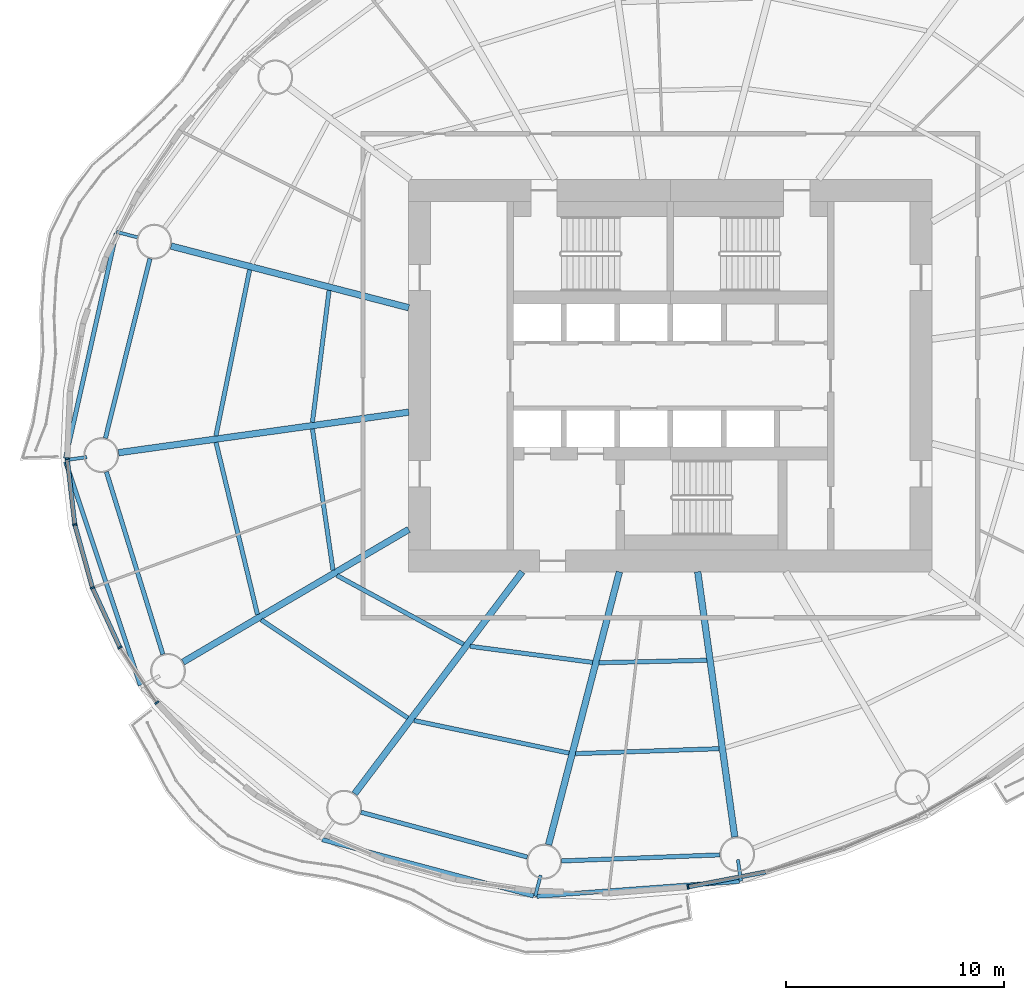
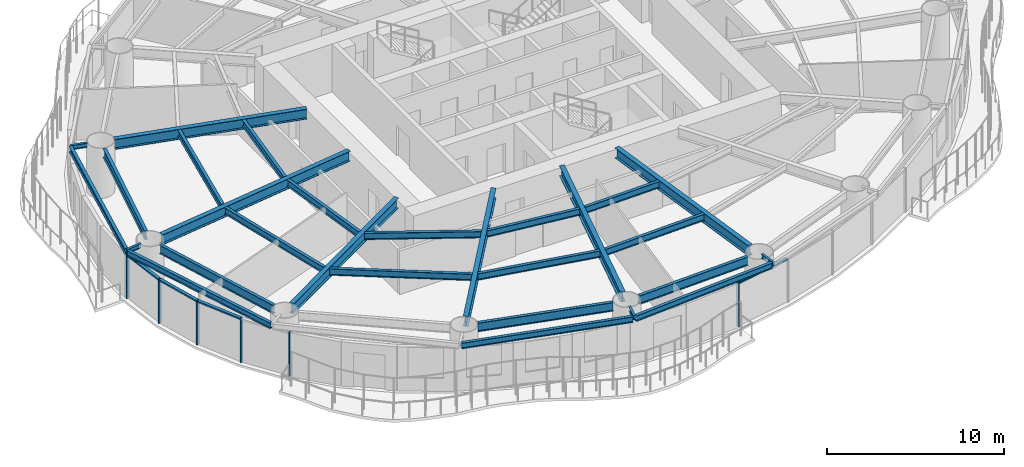
# One storey, part 2 of 16: 28 beams, 10 members, 5 elements without a shape of their own.
"""IFC4 building model written with IfcOpenShell, lengths in metres."""

from ifc_helpers import new_model, si_unit, direction, frame, origin, origin_2d, place, context, subcontext, project, spatial, rectangle, i_section, extrude, material, material_profile, profile_set, type_object, element, aggregate, save


model = new_model("IFC4")

# Units and contexts
model_context = context("Model", 3, precision=1e-05, world=origin(), true_north=direction((0.0, 1.0)))
body_context = subcontext(model_context, "Body", "Model", "MODEL_VIEW")
ifc_project = project(units=[si_unit("LENGTHUNIT", "METRE"), si_unit("AREAUNIT", "SQUARE_METRE"), si_unit("VOLUMEUNIT", "CUBIC_METRE"), si_unit("PLANEANGLEUNIT", "RADIAN"), si_unit("MASSUNIT", "GRAM", prefix="KILO")], contexts=[model_context])

# Site, building, storey
site_placement = place(None, origin())
site = spatial("IfcSite", under=ifc_project, at=site_placement, CompositionType="ELEMENT")
building_placement = place(site_placement, origin())
building = spatial("IfcBuilding", under=site, at=building_placement, Name="Vermilion Reach Broadcast Tower", CompositionType="ELEMENT")
storey_placement = place(building_placement, frame((0.0, 0.0, 113.800048828125)))
storey = spatial("IfcBuildingStorey", under=building, at=storey_placement, Name="L26", CompositionType="ELEMENT", Elevation=113.800048828125)

# Beams
ifc_material_1 = material(Name="Steel S355J2", Category="steel")
ifc_material_profile_1 = material_profile(ifc_material_1, i_section(OverallWidth=0.199951171875, OverallDepth=0.39990234375, WebThickness=0.008056640625, FlangeThickness=0.012939453125, at=origin_2d()), Name="S355J2 HN 400x200x8x13")
ifc_profile_set_1 = profile_set([ifc_material_profile_1], Name="Steel S355J2")
beam_type_1 = type_object("IfcBeamType", Name="EB2 HN 400x200x8x13", PredefinedType="BEAM", material=ifc_profile_set_1)
beam_1_placement = place(storey_placement, frame((-31.419921875, 6.520263671875, 3.25), z_axis=(-0.219840057839, -0.975535929102, 0.0), x_axis=(0.975535929102, -0.219840057839, 0.0)))
element("IfcBeam", 1, at=beam_1_placement, inside=storey, type_object=beam_type_1, Name="Edge beam EB2-07", PredefinedType="BEAM", context=body_context, shape_type="SweptSolid", body=[
    extrude(i_section(OverallWidth=0.199951171875, OverallDepth=0.39990234375, WebThickness=0.008056640625, FlangeThickness=0.012939453125, at=origin_2d()), origin(), (0.0, 0.0, 1.0), 10.577880859375),
])
beam_2_placement = place(storey_placement, frame((-33.73876953125, -3.949462890625, 3.25), z_axis=(0.316959220563, -0.948439166473, 0.0), x_axis=(0.948439166473, 0.316959220563, 0.0)))
element("IfcBeam", 2, at=beam_2_placement, inside=storey, type_object=beam_type_1, Name="Edge beam EB2-08", PredefinedType="BEAM", context=body_context, shape_type="SweptSolid", body=[
    extrude(i_section(OverallWidth=0.199951171875, OverallDepth=0.39990234375, WebThickness=0.008056640625, FlangeThickness=0.012939453125, at=origin_2d()), origin(), (0.0, 0.0, 1.0), 10.81298828125),
])
beam_3_placement = place(storey_placement, frame((-21.973876953125, -21.2841796875, 3.25), z_axis=(0.966298679998, -0.257423505208, 0.0), x_axis=(0.257423505208, 0.966298679998, 0.0)))
element("IfcBeam", 3, at=beam_3_placement, inside=storey, type_object=beam_type_1, Name="Edge beam EB2-10", PredefinedType="BEAM", context=body_context, shape_type="SweptSolid", body=[
    extrude(i_section(OverallWidth=0.199951171875, OverallDepth=0.39990234375, WebThickness=0.008056640625, FlangeThickness=0.012939453125, at=origin_2d()), origin(), (0.0, 0.0, 1.0), 10.039794921875),
])
beam_4_placement = place(storey_placement, frame((-12.12109375, -23.882080078125, 3.25), z_axis=(0.997304691422, 0.073371332736, 0.0), x_axis=(-0.073371332736, 0.997304691422, 0.0)))
element("IfcBeam", 4, at=beam_4_placement, inside=storey, type_object=beam_type_1, Name="Edge beam EB2-11", PredefinedType="BEAM", context=body_context, shape_type="SweptSolid", body=[
    extrude(i_section(OverallWidth=0.199951171875, OverallDepth=0.39990234375, WebThickness=0.008056640625, FlangeThickness=0.012939453125, at=origin_2d()), origin(), (0.0, 0.0, 1.0), 9.310302734375),
])
ifc_material_2 = material(Name="Steel S355J2", Category="steel")
ifc_material_profile_2 = material_profile(ifc_material_2, i_section(OverallWidth=0.300048828125, OverallDepth=0.699951171875, WebThickness=0.012939453125, FlangeThickness=0.02392578125, at=origin_2d()), Name="S355J2 HN 700x300x13x24")
ifc_profile_set_2 = profile_set([ifc_material_profile_2], Name="Steel S355J2")
beam_type_2 = type_object("IfcBeamType", Name="G2 HN 700x300x13x24", PredefinedType="BEAM", material=ifc_profile_set_2)
beam_5_placement = place(storey_placement, frame((-18.0, 3.114501953125, 3.099853515625), z_axis=(-0.967926079816, 0.2512351568, 0.0), x_axis=(-0.2512351568, -0.967926079816, 0.0)))
element("IfcBeam", 5, at=beam_5_placement, inside=storey, type_object=beam_type_2, Name="Girder G2-07", PredefinedType="BEAM", context=body_context, shape_type="SweptSolid", body=[
    extrude(i_section(OverallWidth=0.300048828125, OverallDepth=0.699951171875, WebThickness=0.012939453125, FlangeThickness=0.02392578125, at=origin_2d()), origin(), (0.0, 0.0, 1.0), 11.265625),
])
beam_6_placement = place(storey_placement, frame((-18.0, -1.67578125, 3.099853515625), z_axis=(-0.990389457618, -0.138306623986, 0.0), x_axis=(0.138306623986, -0.990389457618, 0.0)))
element("IfcBeam", 6, at=beam_6_placement, inside=storey, type_object=beam_type_2, Name="Girder G2-08", PredefinedType="BEAM", context=body_context, shape_type="SweptSolid", body=[
    extrude(i_section(OverallWidth=0.300048828125, OverallDepth=0.699951171875, WebThickness=0.012939453125, FlangeThickness=0.02392578125, at=origin_2d()), origin(), (0.0, 0.0, 1.0), 13.445556640625),
])
beam_7_placement = place(storey_placement, frame((-18.0, -7.054443359375, 3.099853515625), z_axis=(-0.862071616631, -0.506786471603, 0.0), x_axis=(0.506786471603, -0.862071616631, 0.0)))
element("IfcBeam", 7, at=beam_7_placement, inside=storey, type_object=beam_type_2, Name="Girder G2-09", PredefinedType="BEAM", context=body_context, shape_type="SweptSolid", body=[
    extrude(i_section(OverallWidth=0.300048828125, OverallDepth=0.699951171875, WebThickness=0.012939453125, FlangeThickness=0.02392578125, at=origin_2d()), origin(), (0.0, 0.0, 1.0), 12.01025390625),
])
beam_8_placement = place(storey_placement, frame((-12.794189453125, -9.0, 3.099853515625), z_axis=(-0.602519842365, -0.798103902733, 0.0), x_axis=(0.798103902733, -0.602519842365, 0.0)))
element("IfcBeam", 8, at=beam_8_placement, inside=storey, type_object=beam_type_2, Name="Girder G2-10", PredefinedType="BEAM", context=body_context, shape_type="SweptSolid", body=[
    extrude(i_section(OverallWidth=0.300048828125, OverallDepth=0.699951171875, WebThickness=0.012939453125, FlangeThickness=0.02392578125, at=origin_2d()), origin(), (0.0, 0.0, 1.0), 12.758544921875),
])
beam_9_placement = place(storey_placement, frame((-8.3359375, -9.0, 3.099853515625), z_axis=(-0.25121695316, -0.967930804575, 0.0), x_axis=(0.967930804575, -0.25121695316, 0.0)))
element("IfcBeam", 9, at=beam_9_placement, inside=storey, type_object=beam_type_2, Name="Girder G2-11", PredefinedType="BEAM", context=body_context, shape_type="SweptSolid", body=[
    extrude(i_section(OverallWidth=0.300048828125, OverallDepth=0.699951171875, WebThickness=0.012939453125, FlangeThickness=0.02392578125, at=origin_2d()), origin(), (0.0, 0.0, 1.0), 12.93505859375),
])
beam_10_placement = place(storey_placement, frame((-4.7431640625, -9.0, 3.099853515625), z_axis=(0.138317561234, -0.990387930184, 0.0), x_axis=(0.990387930184, 0.138317561234, 0.0)))
element("IfcBeam", 10, at=beam_10_placement, inside=storey, type_object=beam_type_2, Name="Girder G2-12", PredefinedType="BEAM", context=body_context, shape_type="SweptSolid", body=[
    extrude(i_section(OverallWidth=0.300048828125, OverallDepth=0.699951171875, WebThickness=0.012939453125, FlangeThickness=0.02392578125, at=origin_2d()), origin(), (0.0, 0.0, 1.0), 12.281494140625),
])
ifc_material_3 = material(Name="Steel S355J2", Category="steel")
ifc_material_profile_3 = material_profile(ifc_material_3, i_section(OverallWidth=0.14990234375, OverallDepth=0.300048828125, WebThickness=0.006591796875, FlangeThickness=0.009033203125, at=origin_2d()), Name="S355J2 HN 300x150x6.5x9")
ifc_profile_set_3 = profile_set([ifc_material_profile_3], Name="Steel S355J2")
beam_type_3 = type_object("IfcBeamType", Name="GS2 HN 300x150x6.5x9", PredefinedType="BEAM", material=ifc_profile_set_3)
for number, where, z_axis, x_axis, name in (
    (11, (-30.435546875, 6.34228515625, 3.300048828125), (-0.967935368459, 0.251199368006, 0.0), (-0.251199368006, -0.967935368459, 0.0), "Cantilever stub GS2-07"),
    (12, (-32.7724609375, -3.73876953125, 3.300048828125), (-0.990374567622, -0.138413206764, 0.0), (0.138413206764, -0.990374567622, 0.0), "Cantilever stub GS2-08"),
    (13, (-11.94873046875, -22.919921875, 3.300048828125), (-0.251199368006, -0.967935368459, 0.0), (0.967935368459, -0.251199368006, 0.0), "Cantilever stub GS2-11"),
    (14, (-2.8994140625, -22.202880859375, 3.300048828125), (0.138413206764, -0.990374567622, 0.0), (0.990374567622, 0.138413206764, 0.0), "Cantilever stub GS2-12"),
):
    element("IfcBeam", number, at=place(storey_placement, frame(where, z_axis=z_axis, x_axis=x_axis)), inside=storey, type_object=beam_type_3, Name=name, PredefinedType="BEAM", context=body_context, shape_type="SweptSolid", body=[
        extrude(i_section(OverallWidth=0.14990234375, OverallDepth=0.300048828125, WebThickness=0.006591796875, FlangeThickness=0.009033203125, at=origin_2d()), origin(), (0.0, 0.0, 1.0), 1.0),
    ])
ifc_material_4 = material(Name="Steel S355J2", Category="steel")
ifc_material_profile_4 = material_profile(ifc_material_4, i_section(OverallWidth=0.199951171875, OverallDepth=0.60009765625, WebThickness=0.010986328125, FlangeThickness=0.01708984375, at=origin_2d()), Name="S355J2 HN 600x200x11x17")
ifc_profile_set_4 = profile_set([ifc_material_profile_4], Name="Steel S355J2")
beam_type_4 = type_object("IfcBeamType", Name="RB2 HN 600x200x11x17", PredefinedType="BEAM", material=ifc_profile_set_4)
beam_11_placement = place(storey_placement, frame((-29.871337890625, 5.369384765625, 3.14990234375), z_axis=(-0.240863809798, -0.970558924089, 0.0), x_axis=(0.970558924089, -0.240863809798, 0.0)))
element("IfcBeam", 15, at=beam_11_placement, inside=storey, type_object=beam_type_4, Name="Ring beam RB2-07", PredefinedType="BEAM", context=body_context, shape_type="SweptSolid", body=[
    extrude(i_section(OverallWidth=0.199951171875, OverallDepth=0.60009765625, WebThickness=0.010986328125, FlangeThickness=0.01708984375, at=origin_2d()), origin(), (0.0, 0.0, 1.0), 8.489013671875),
])
beam_12_placement = place(storey_placement, frame((-31.872314453125, -4.410400390625, 3.14990234375), z_axis=(0.295788439635, -0.95525347368, 0.0), x_axis=(0.95525347368, 0.295788439635, 0.0)))
element("IfcBeam", 16, at=beam_12_placement, inside=storey, type_object=beam_type_4, Name="Ring beam RB2-08", PredefinedType="BEAM", context=body_context, shape_type="SweptSolid", body=[
    extrude(i_section(OverallWidth=0.199951171875, OverallDepth=0.60009765625, WebThickness=0.010986328125, FlangeThickness=0.01708984375, at=origin_2d()), origin(), (0.0, 0.0, 1.0), 8.763916015625),
])
beam_13_placement = place(storey_placement, frame((-20.19091796875, -20.029296875, 3.14990234375), z_axis=(0.965541463834, -0.260249268234, 0.0), x_axis=(0.260249268234, 0.965541463834, 0.0)))
element("IfcBeam", 17, at=beam_13_placement, inside=storey, type_object=beam_type_4, Name="Ring beam RB2-10", PredefinedType="BEAM", context=body_context, shape_type="SweptSolid", body=[
    extrude(i_section(OverallWidth=0.199951171875, OverallDepth=0.60009765625, WebThickness=0.010986328125, FlangeThickness=0.01708984375, at=origin_2d()), origin(), (0.0, 0.0, 1.0), 7.904541015625),
])
beam_14_placement = place(storey_placement, frame((-10.987060546875, -22.263916015625, 3.14990234375), z_axis=(0.999268558327, 0.038240663418, 0.0), x_axis=(-0.038240663418, 0.999268558327, 0.0)))
element("IfcBeam", 18, at=beam_14_placement, inside=storey, type_object=beam_type_4, Name="Ring beam RB2-11", PredefinedType="BEAM", context=body_context, shape_type="SweptSolid", body=[
    extrude(i_section(OverallWidth=0.199951171875, OverallDepth=0.60009765625, WebThickness=0.010986328125, FlangeThickness=0.01708984375, at=origin_2d()), origin(), (0.0, 0.0, 1.0), 7.259033203125),
])
ifc_material_5 = material(Name="Steel S355J2", Category="steel")
ifc_material_profile_5 = material_profile(ifc_material_5, i_section(OverallWidth=0.199951171875, OverallDepth=0.449951171875, WebThickness=0.009033203125, FlangeThickness=0.013916015625, at=origin_2d()), Name="S355J2 HN 450x200x9x14")
ifc_profile_set_5 = profile_set([ifc_material_profile_5], Name="Steel S355J2")
beam_type_5 = type_object("IfcBeamType", Name="SB2 HN 450x200x9x14", PredefinedType="BEAM", material=ifc_profile_set_5)
beam_15_placement = place(storey_placement, frame((-21.65380859375, 3.907958984375, 3.224853515625), z_axis=(-0.125557241128, -0.992086376885, 0.0), x_axis=(0.992086376885, -0.125557241128, 0.0)))
element("IfcBeam", 19, at=beam_15_placement, inside=storey, type_object=beam_type_5, Name="Secondary beam SB2-07-1", PredefinedType="BEAM", context=body_context, shape_type="SweptSolid", body=[
    extrude(i_section(OverallWidth=0.199951171875, OverallDepth=0.449951171875, WebThickness=0.009033203125, FlangeThickness=0.013916015625, at=origin_2d()), origin(), (0.0, 0.0, 1.0), 6.097900390625),
])
beam_16_placement = place(storey_placement, frame((-25.29931640625, 4.854248046875, 3.224853515625), z_axis=(-0.19906416804, -0.979986457561, 0.0), x_axis=(0.979986457561, -0.19906416804, 0.0)))
element("IfcBeam", 20, at=beam_16_placement, inside=storey, type_object=beam_type_5, Name="Secondary beam SB2-07-2", PredefinedType="BEAM", context=body_context, shape_type="SweptSolid", body=[
    extrude(i_section(OverallWidth=0.199951171875, OverallDepth=0.449951171875, WebThickness=0.009033203125, FlangeThickness=0.013916015625, at=origin_2d()), origin(), (0.0, 0.0, 1.0), 7.76953125),
])
beam_17_placement = place(storey_placement, frame((-22.417236328125, -2.444091796875, 3.224853515625), z_axis=(0.143973706518, -0.989581513485, 0.0), x_axis=(0.989581513485, 0.143973706518, 0.0)))
element("IfcBeam", 21, at=beam_17_placement, inside=storey, type_object=beam_type_5, Name="Secondary beam SB2-08-1", PredefinedType="BEAM", context=body_context, shape_type="SweptSolid", body=[
    extrude(i_section(OverallWidth=0.199951171875, OverallDepth=0.449951171875, WebThickness=0.009033203125, FlangeThickness=0.013916015625, at=origin_2d()), origin(), (0.0, 0.0, 1.0), 6.547119140625),
])
beam_18_placement = place(storey_placement, frame((-26.84228515625, -3.06201171875, 3.224853515625), z_axis=(0.234260568382, -0.972173845617, 0.0), x_axis=(0.972173845617, 0.234260568382, 0.0)))
element("IfcBeam", 22, at=beam_18_placement, inside=storey, type_object=beam_type_5, Name="Secondary beam SB2-08-2", PredefinedType="BEAM", context=body_context, shape_type="SweptSolid", body=[
    extrude(i_section(OverallWidth=0.199951171875, OverallDepth=0.449951171875, WebThickness=0.009033203125, FlangeThickness=0.013916015625, at=origin_2d()), origin(), (0.0, 0.0, 1.0), 8.123779296875),
])
beam_19_placement = place(storey_placement, frame((-21.29736328125, -9.1669921875, 3.224853515625), z_axis=(0.878713106774, -0.477350265512, 0.0), x_axis=(0.477350265512, 0.878713106774, 0.0)))
element("IfcBeam", 23, at=beam_19_placement, inside=storey, type_object=beam_type_5, Name="Secondary beam SB2-09-1", PredefinedType="BEAM", context=body_context, shape_type="SweptSolid", body=[
    extrude(i_section(OverallWidth=0.199951171875, OverallDepth=0.449951171875, WebThickness=0.009033203125, FlangeThickness=0.013916015625, at=origin_2d()), origin(), (0.0, 0.0, 1.0), 6.60888671875),
])
beam_20_placement = place(storey_placement, frame((-24.76416015625, -11.204833984375, 3.224853515625), z_axis=(0.830915400975, -0.556398774641, 0.0), x_axis=(0.556398774641, 0.830915400975, 0.0)))
element("IfcBeam", 24, at=beam_20_placement, inside=storey, type_object=beam_type_5, Name="Secondary beam SB2-09-2", PredefinedType="BEAM", context=body_context, shape_type="SweptSolid", body=[
    extrude(i_section(OverallWidth=0.199951171875, OverallDepth=0.449951171875, WebThickness=0.009033203125, FlangeThickness=0.013916015625, at=origin_2d()), origin(), (0.0, 0.0, 1.0), 8.087646484375),
])
beam_21_placement = place(storey_placement, frame((-15.185546875, -12.416748046875, 3.224853515625), z_axis=(0.991498686864, -0.130116693573, 0.0), x_axis=(0.130116693573, 0.991498686864, 0.0)))
element("IfcBeam", 25, at=beam_21_placement, inside=storey, type_object=beam_type_5, Name="Secondary beam SB2-10-1", PredefinedType="BEAM", context=body_context, shape_type="SweptSolid", body=[
    extrude(i_section(OverallWidth=0.199951171875, OverallDepth=0.449951171875, WebThickness=0.009033203125, FlangeThickness=0.013916015625, at=origin_2d()), origin(), (0.0, 0.0, 1.0), 5.66455078125),
])
beam_22_placement = place(storey_placement, frame((-17.7568359375, -15.822509765625, 3.224853515625), z_axis=(0.978631382549, -0.205622511148, 0.0), x_axis=(0.205622511148, 0.978631382549, 0.0)))
element("IfcBeam", 26, at=beam_22_placement, inside=storey, type_object=beam_type_5, Name="Secondary beam SB2-10-2", PredefinedType="BEAM", context=body_context, shape_type="SweptSolid", body=[
    extrude(i_section(OverallWidth=0.199951171875, OverallDepth=0.449951171875, WebThickness=0.009033203125, FlangeThickness=0.013916015625, at=origin_2d()), origin(), (0.0, 0.0, 1.0), 7.262939453125),
])
beam_23_placement = place(storey_placement, frame((-9.26318359375, -13.169921875, 3.224853515625), z_axis=(0.999742320425, 0.022700060602, 0.0), x_axis=(-0.022700060602, 0.999742320425, 0.0)))
element("IfcBeam", 27, at=beam_23_placement, inside=storey, type_object=beam_type_5, Name="Secondary beam SB2-11-1", PredefinedType="BEAM", context=body_context, shape_type="SweptSolid", body=[
    extrude(i_section(OverallWidth=0.199951171875, OverallDepth=0.449951171875, WebThickness=0.009033203125, FlangeThickness=0.013916015625, at=origin_2d()), origin(), (0.0, 0.0, 1.0), 4.9365234375),
])
beam_24_placement = place(storey_placement, frame((-10.345947265625, -17.34130859375, 3.224853515625), z_axis=(0.999404722387, 0.03449928797, 0.0), x_axis=(-0.03449928797, 0.999404722387, 0.0)))
element("IfcBeam", 28, at=beam_24_placement, inside=storey, type_object=beam_type_5, Name="Secondary beam SB2-11-2", PredefinedType="BEAM", context=body_context, shape_type="SweptSolid", body=[
    extrude(i_section(OverallWidth=0.199951171875, OverallDepth=0.449951171875, WebThickness=0.009033203125, FlangeThickness=0.013916015625, at=origin_2d()), origin(), (0.0, 0.0, 1.0), 6.58837890625),
])

# Curtain wall, member
ifc_material_6 = material(Name="Low-e laminated clear glass in aluminium frame", Category="aluminium")
curtain_wall_type = type_object("IfcCurtainWallType", Name="Slot curtain wall", PredefinedType="NOTDEFINED", material=ifc_material_6)
placement = place(storey_placement, origin())
curtain_wall_1 = element("IfcCurtainWall", 29, at=placement, inside=storey, type_object=curtain_wall_type, Name="Slot curtain wall L26 22", PredefinedType="NOTDEFINED")
ifc_material_7 = material(Name="Anodised aluminium", Category="aluminium")
ifc_material_profile_6 = material_profile(ifc_material_7, rectangle(XDim=0.199951171875, YDim=0.080078125, at=origin_2d()), Name="Slot mullion 80 x 200")
ifc_profile_set_6 = profile_set([ifc_material_profile_6], Name="Anodised aluminium")
member_type_1 = type_object("IfcMemberType", Name="Slot mullion 80 x 200", PredefinedType="MULLION", material=ifc_profile_set_6)
member_1_placement = place(storey_placement, frame((-33.6650390625, -3.80810546875, 0.0), z_axis=(0.0, 0.0, 1.0), x_axis=(0.999336957499, 0.036409413285, 0.0)))
member_1 = element("IfcMember", 30, at=member_1_placement, type_object=member_type_1, Name="Slot mullion L26 22", PredefinedType="MULLION", context=body_context, shape_type="SweptSolid", body=[
    extrude(rectangle(XDim=0.199951171875, YDim=0.080078125, at=origin_2d()), origin(), (0.0, 0.0, 1.0), 3.050048828125),
])

curtain_wall_2 = element("IfcCurtainWall", 31, at=placement, inside=storey, type_object=curtain_wall_type, Name="Slot curtain wall L26 23", PredefinedType="NOTDEFINED")
member_2_placement = place(storey_placement, frame((-33.320068359375, -6.8291015625, 0.0), z_axis=(0.0, 0.0, 1.0), x_axis=(0.981456529372, 0.191684847999, 0.0)))
member_2 = element("IfcMember", 32, at=member_2_placement, type_object=member_type_1, Name="Slot mullion L26 23", PredefinedType="MULLION", context=body_context, shape_type="SweptSolid", body=[
    extrude(rectangle(XDim=0.199951171875, YDim=0.080078125, at=origin_2d()), origin(), (0.0, 0.0, 1.0), 3.050048828125),
])

curtain_wall_3 = element("IfcCurtainWall", 33, at=placement, inside=storey, type_object=curtain_wall_type, Name="Slot curtain wall L26 24", PredefinedType="NOTDEFINED")
member_3_placement = place(storey_placement, frame((-32.510009765625, -9.73291015625, 0.0), z_axis=(0.0, 0.0, 1.0), x_axis=(0.938733857696, 0.34464292306, 0.0)))
member_3 = element("IfcMember", 34, at=member_3_placement, type_object=member_type_1, Name="Slot mullion L26 24", PredefinedType="MULLION", context=body_context, shape_type="SweptSolid", body=[
    extrude(rectangle(XDim=0.199951171875, YDim=0.080078125, at=origin_2d()), origin(), (0.0, 0.0, 1.0), 3.050048828125),
])

# Curtain wall, members
curtain_wall_4 = element("IfcCurtainWall", 35, at=placement, inside=storey, type_object=curtain_wall_type, Name="Slot curtain wall L26 25", PredefinedType="NOTDEFINED")
member_4_placement = place(storey_placement, frame((-31.248779296875, -12.470947265625, 0.0), z_axis=(0.0, 0.0, 1.0), x_axis=(0.872334970322, 0.488908682223, 0.0)))
member_4 = element("IfcMember", 36, at=member_4_placement, type_object=member_type_1, Name="Slot mullion L26 25", PredefinedType="MULLION", context=body_context, shape_type="SweptSolid", body=[
    extrude(rectangle(XDim=0.199951171875, YDim=0.080078125, at=origin_2d()), origin(), (0.0, 0.0, 1.0), 3.050048828125),
])
member_5_placement = place(storey_placement, frame((-29.55712890625, -14.99755859375, 0.0), z_axis=(0.0, 0.0, 1.0), x_axis=(0.785495919394, 0.618866835931, 0.0)))
member_5 = element("IfcMember", 37, at=member_5_placement, type_object=member_type_1, Name="Slot mullion L26 26", PredefinedType="MULLION", context=body_context, shape_type="SweptSolid", body=[
    extrude(rectangle(XDim=0.199951171875, YDim=0.080078125, at=origin_2d()), origin(), (0.0, 0.0, 1.0), 3.050048828125),
])
aggregate(curtain_wall_4, [member_4, member_5])

# Curtain wall, member
curtain_wall_5 = element("IfcCurtainWall", 38, at=placement, inside=storey, type_object=curtain_wall_type, Name="Slot curtain wall L26 34", PredefinedType="NOTDEFINED")
member_6_placement = place(storey_placement, frame((-5.189208984375, -23.454833984375, 0.0), z_axis=(0.0, 0.0, 1.0), x_axis=(-0.135006643568, 0.990844693276, 0.0)))
member_6 = element("IfcMember", 39, at=member_6_placement, type_object=member_type_1, Name="Slot mullion L26 34", PredefinedType="MULLION", context=body_context, shape_type="SweptSolid", body=[
    extrude(rectangle(XDim=0.199951171875, YDim=0.080078125, at=origin_2d()), origin(), (0.0, 0.0, 1.0), 3.050048828125),
])

# Member
ifc_material_8 = material(Name="Anodised aluminium", Category="aluminium")
ifc_material_profile_7 = material_profile(ifc_material_8, rectangle(XDim=0.199951171875, YDim=0.10009765625, at=origin_2d()), Name="Slot transom 200 x 100")
ifc_profile_set_7 = profile_set([ifc_material_profile_7], Name="Anodised aluminium")
member_type_2 = type_object("IfcMemberType", Name="Slot transom 200 x 100", PredefinedType="USERDEFINED", material=ifc_profile_set_7)
member_7_placement = place(storey_placement, frame((-33.66064453125, -3.847900390625, 3.0), z_axis=(0.113472166132, -0.99354117555, 0.0), x_axis=(0.99354117555, 0.113472166132, 0.0)))
member_7 = element("IfcMember", 40, at=member_7_placement, type_object=member_type_2, Name="Slot transom L26 22.1", ObjectType="TRANSOM", PredefinedType="USERDEFINED", context=body_context, shape_type="SweptSolid", body=[
    extrude(rectangle(XDim=0.199951171875, YDim=0.10009765625, at=origin_2d()), origin(), (0.0, 0.0, 1.0), 2.96044921875),
])

aggregate(curtain_wall_1, [member_1, member_7])

member_8_placement = place(storey_placement, frame((-33.309326171875, -6.86767578125, 3.0), z_axis=(0.268716399041, -0.963219339967, 0.0), x_axis=(0.963219339967, 0.268716399041, 0.0)))
member_8 = element("IfcMember", 41, at=member_8_placement, type_object=member_type_2, Name="Slot transom L26 23.1", ObjectType="TRANSOM", PredefinedType="USERDEFINED", context=body_context, shape_type="SweptSolid", body=[
    extrude(rectangle(XDim=0.199951171875, YDim=0.10009765625, at=origin_2d()), origin(), (0.0, 0.0, 1.0), 2.9345703125),
])

aggregate(curtain_wall_2, [member_2, member_8])

member_9_placement = place(storey_placement, frame((-32.493408203125, -9.76904296875, 3.0), z_axis=(0.418366963008, -0.908278087517, 0.0), x_axis=(0.908278087517, 0.418366963008, 0.0)))
member_9 = element("IfcMember", 42, at=member_9_placement, type_object=member_type_2, Name="Slot transom L26 24.1", ObjectType="TRANSOM", PredefinedType="USERDEFINED", context=body_context, shape_type="SweptSolid", body=[
    extrude(rectangle(XDim=0.199951171875, YDim=0.10009765625, at=origin_2d()), origin(), (0.0, 0.0, 1.0), 2.934814453125),
])

aggregate(curtain_wall_3, [member_3, member_9])

member_10_placement = place(storey_placement, frame((-5.14990234375, -23.447265625, 3.0), z_axis=(0.98194733922, 0.189154495052, 0.0), x_axis=(-0.189154495052, 0.98194733922, 0.0)))
member_10 = element("IfcMember", 43, at=member_10_placement, type_object=member_type_2, Name="Slot transom L26 34.1", ObjectType="TRANSOM", PredefinedType="USERDEFINED", context=body_context, shape_type="SweptSolid", body=[
    extrude(rectangle(XDim=0.199951171875, YDim=0.10009765625, at=origin_2d()), origin(), (0.0, 0.0, 1.0), 3.59716796875),
])

aggregate(curtain_wall_5, [member_6, member_10])

save(model, "model.ifc")
